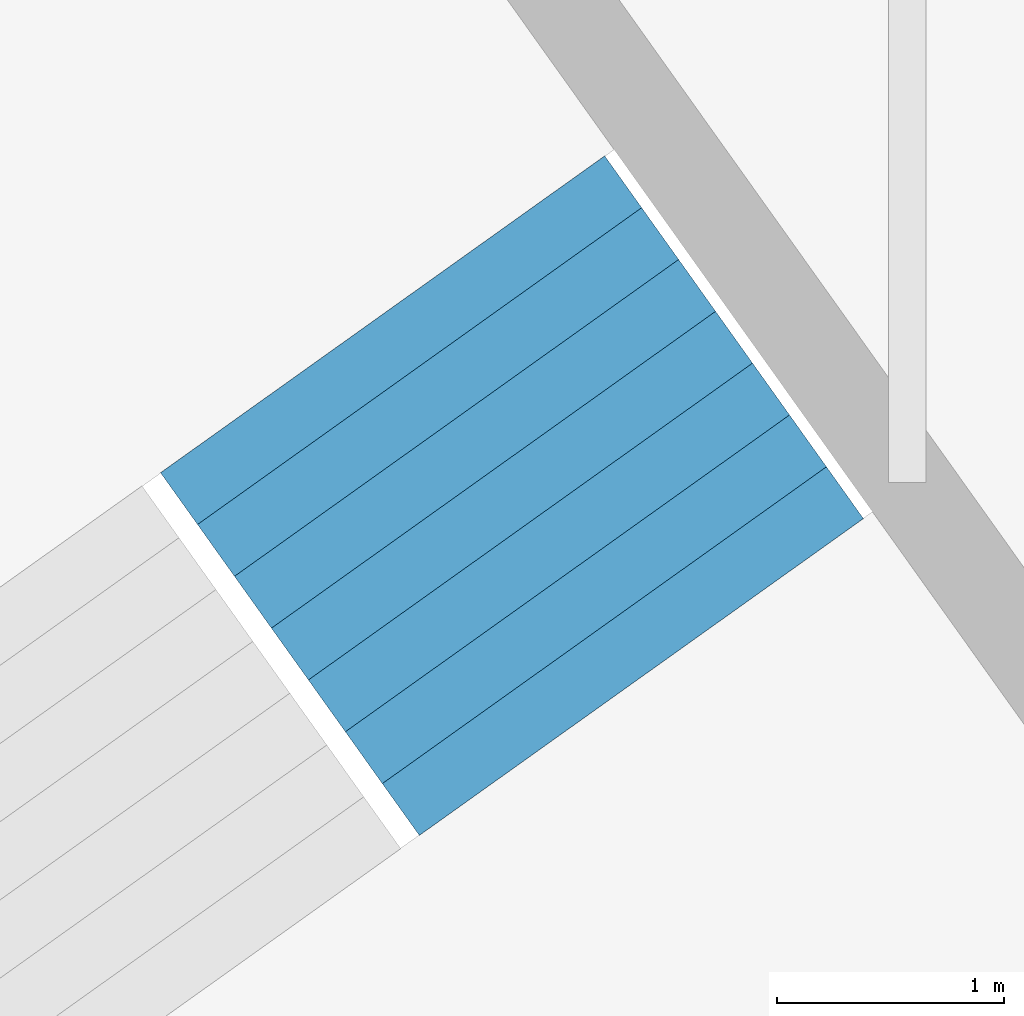
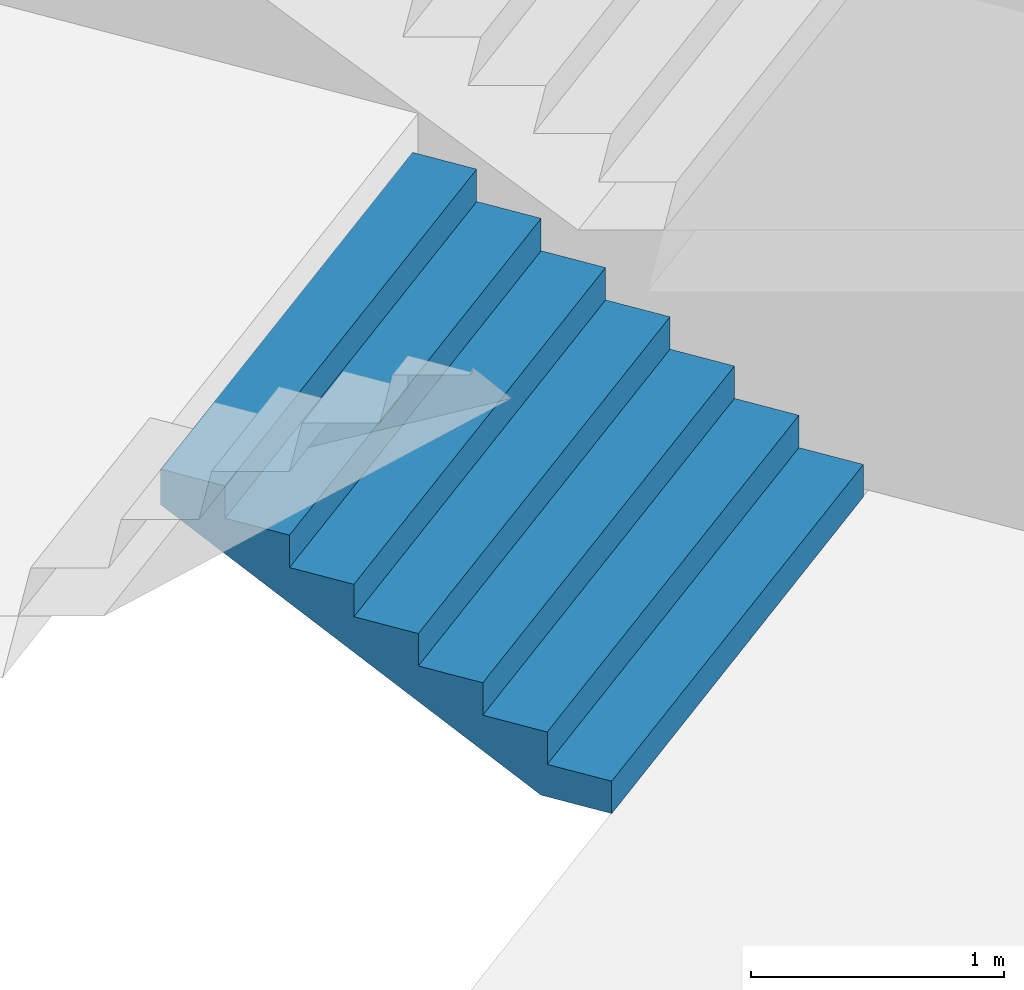
# One storey, part 43 of 73: 1 stair flight, 1 element without a shape of its own.
"""IFC4 building model written with IfcOpenShell, lengths in metres."""

from ifc_helpers import new_model, si_unit, direction, frame, origin, place, context, subcontext, project, spatial, triangles, material, type_object, element, aggregate, save


model = new_model("IFC4")

# Units and contexts
model_context = context("Model", 3, precision=1e-05, world=origin(), true_north=direction((0.0, 1.0)))
body_context = subcontext(model_context, "Body", "Model", "MODEL_VIEW")
ifc_project = project(units=[si_unit("LENGTHUNIT", "METRE"), si_unit("AREAUNIT", "SQUARE_METRE"), si_unit("VOLUMEUNIT", "CUBIC_METRE"), si_unit("PLANEANGLEUNIT", "RADIAN"), si_unit("MASSUNIT", "GRAM", prefix="KILO")], contexts=[model_context])

# Site, building, storey
site_placement = place(None, origin())
site = spatial("IfcSite", under=ifc_project, at=site_placement, CompositionType="ELEMENT")
building_placement = place(site_placement, origin())
building = spatial("IfcBuilding", under=site, at=building_placement, Name="Lantaw Convention Tower", CompositionType="ELEMENT")
storey_placement = place(building_placement, frame((0.0, 0.0, 27.0)))
storey = spatial("IfcBuildingStorey", under=building, at=storey_placement, Name="L04", CompositionType="ELEMENT", Elevation=27.0)

# Stair, stair flight
ifc_material = material(Name="Concrete C35/45", Category="concrete")
stair_type = type_object("IfcStairType", Name="Exit stair 2400 riser 156.25 in 4 flights", PredefinedType="HALF_TURN_STAIR", material=ifc_material)
stair_placement = place(storey_placement, origin())
stair = element("IfcStair", 1, at=stair_placement, inside=storey, type_object=stair_type, Name="Podium exit stair P6 L04", PredefinedType="HALF_TURN_STAIR")
stair_flight_type = type_object("IfcStairFlightType", Name="Stair flight 2400 riser 156.25", PredefinedType="STRAIGHT", material=ifc_material)
stair_flight_placement = place(storey_placement, frame((-16.97021484375, 25.944091796875, 0.0), z_axis=(0.0, 0.0, 1.0), x_axis=(-0.580702955711, 0.814115518356, 0.0)))
stair_flight = element("IfcStairFlight", 2, at=stair_flight_placement, type_object=stair_flight_type, Name="P6 flight 1", NumberOfRisers=8, NumberOfTreads=7, PredefinedType="STRAIGHT", RiserHeight=0.15625, TreadLength=0.28, context=body_context, shape_type="Tessellation", body=[
    triangles([(0.0, 1.199951171875, 0.0), (0.0, 1.199951171875, 0.15625), (0.28, 1.199951171875, 0.0), (0.28, 1.199951171875, 0.15625), (0.28, 1.199951171875, 0.3125), (0.3076200632058044, 1.199951171875, 0.0), (0.3076200632058044, 1.199951171875, 0.3125), (0.56, 1.199951171875, 0.14083701830033238), (0.56, 1.199951171875, 0.3125), (0.56, 1.199951171875, 0.46875), (0.8400000000000001, 1.199951171875, 0.29708701830033235), (0.8400000000000001, 1.199951171875, 0.46875), (0.8400000000000001, 1.199951171875, 0.625), (1.12, 1.199951171875, 0.45333701830033235), (1.12, 1.199951171875, 0.625), (1.12, 1.199951171875, 0.78125), (1.4000000000000001, 1.199951171875, 0.6095870183003324), (1.4000000000000001, 1.199951171875, 0.78125), (1.4000000000000001, 1.199951171875, 0.9375), (1.6800000000000002, 1.199951171875, 0.7658370183003324), (1.6800000000000002, 1.199951171875, 0.9375), (1.6800000000000002, 1.199951171875, 1.09375), (1.9600000000000002, 1.199951171875, 0.9220870183003324), (1.9600000000000002, 1.199951171875, 1.09375), (0.0, -1.199951171875, 0.0), (0.0, -1.199951171875, 0.15625), (0.28, -1.199951171875, 0.0), (0.28, -1.199951171875, 0.15625), (0.28, -1.199951171875, 0.3125), (0.3076200632058044, -1.199951171875, 0.0), (0.3076200632058044, -1.199951171875, 0.3125), (0.56, -1.199951171875, 0.14083701830033238), (0.56, -1.199951171875, 0.3125), (0.56, -1.199951171875, 0.46875), (0.8400000000000001, -1.199951171875, 0.29708701830033235), (0.8400000000000001, -1.199951171875, 0.46875), (0.8400000000000001, -1.199951171875, 0.625), (1.12, -1.199951171875, 0.45333701830033235), (1.12, -1.199951171875, 0.625), (1.12, -1.199951171875, 0.78125), (1.4000000000000001, -1.199951171875, 0.6095870183003324), (1.4000000000000001, -1.199951171875, 0.78125), (1.4000000000000001, -1.199951171875, 0.9375), (1.6800000000000002, -1.199951171875, 0.7658370183003324), (1.6800000000000002, -1.199951171875, 0.9375), (1.6800000000000002, -1.199951171875, 1.09375), (1.9600000000000002, -1.199951171875, 0.9220870183003324), (1.9600000000000002, -1.199951171875, 1.09375), (0.0, 0.239990234375, 0.15625), (0.0, 0.239990234375, 0.0), (0.0, 0.1919921875, 0.15625), (0.0, 0.1919921875, 0.0), (0.0, 0.143994140625, 0.15625), (0.0, 0.143994140625, 0.0), (0.0, 0.09599609375, 0.15625), (0.0, 0.09599609375, 0.0), (0.0, 0.047998046875, 0.15625), (0.0, 0.047998046875, 0.0), (0.0, 0.0, 0.15625), (0.0, 0.0, 0.0), (0.0, -0.047998046875, 0.15625), (0.0, -0.047998046875, 0.0), (0.0, -0.09599609375, 0.15625), (0.0, -0.09599609375, 0.0), (0.0, -0.143994140625, 0.15625), (0.0, -0.143994140625, 0.0), (0.0, -0.1919921875, 0.15625), (0.0, -0.1919921875, 0.0), (0.0, -0.239990234375, 0.15625), (0.0, -0.239990234375, 0.0), (0.28, 0.239990234375, 0.3125), (0.28, 0.239990234375, 0.15625), (0.28, 0.1919921875, 0.3125), (0.28, 0.1919921875, 0.15625), (0.28, 0.143994140625, 0.3125), (0.28, 0.143994140625, 0.15625), (0.28, 0.09599609375, 0.3125), (0.28, 0.09599609375, 0.15625), (0.28, 0.047998046875, 0.3125), (0.28, 0.047998046875, 0.15625), (0.28, 0.0, 0.3125), (0.28, 0.0, 0.15625), (0.28, -0.047998046875, 0.3125), (0.28, -0.047998046875, 0.15625), (0.28, -0.09599609375, 0.3125), (0.28, -0.09599609375, 0.15625), (0.28, -0.143994140625, 0.3125), (0.28, -0.143994140625, 0.15625), (0.28, -0.1919921875, 0.3125), (0.28, -0.1919921875, 0.15625), (0.28, -0.239990234375, 0.3125), (0.28, -0.239990234375, 0.15625), (0.56, 0.239990234375, 0.46875), (0.56, 0.239990234375, 0.3125), (0.56, 0.1919921875, 0.46875), (0.56, 0.1919921875, 0.3125), (0.56, 0.143994140625, 0.46875), (0.56, 0.143994140625, 0.3125), (0.56, 0.09599609375, 0.46875), (0.56, 0.09599609375, 0.3125), (0.56, 0.047998046875, 0.46875), (0.56, 0.047998046875, 0.3125), (0.56, 0.0, 0.46875), (0.56, 0.0, 0.3125), (0.56, -0.047998046875, 0.46875), (0.56, -0.047998046875, 0.3125), (0.56, -0.09599609375, 0.46875), (0.56, -0.09599609375, 0.3125), (0.56, -0.143994140625, 0.46875), (0.56, -0.143994140625, 0.3125), (0.56, -0.1919921875, 0.46875), (0.56, -0.1919921875, 0.3125), (0.56, -0.239990234375, 0.46875), (0.56, -0.239990234375, 0.3125), (0.8400000000000001, 0.239990234375, 0.625), (0.8400000000000001, 0.239990234375, 0.46875), (0.8400000000000001, 0.1919921875, 0.625), (0.8400000000000001, 0.1919921875, 0.46875), (0.8400000000000001, 0.143994140625, 0.625), (0.8400000000000001, 0.143994140625, 0.46875), (0.8400000000000001, 0.09599609375, 0.625), (0.8400000000000001, 0.09599609375, 0.46875), (0.8400000000000001, 0.047998046875, 0.625), (0.8400000000000001, 0.047998046875, 0.46875), (0.8400000000000001, 0.0, 0.625), (0.8400000000000001, 0.0, 0.46875), (0.8400000000000001, -0.047998046875, 0.625), (0.8400000000000001, -0.047998046875, 0.46875), (0.8400000000000001, -0.09599609375, 0.625), (0.8400000000000001, -0.09599609375, 0.46875), (0.8400000000000001, -0.143994140625, 0.625), (0.8400000000000001, -0.143994140625, 0.46875), (0.8400000000000001, -0.1919921875, 0.625), (0.8400000000000001, -0.1919921875, 0.46875), (0.8400000000000001, -0.239990234375, 0.625), (0.8400000000000001, -0.239990234375, 0.46875), (1.12, 0.239990234375, 0.78125), (1.12, 0.239990234375, 0.625), (1.12, 0.1919921875, 0.78125), (1.12, 0.1919921875, 0.625), (1.12, 0.143994140625, 0.78125), (1.12, 0.143994140625, 0.625), (1.12, 0.09599609375, 0.78125), (1.12, 0.09599609375, 0.625), (1.12, 0.047998046875, 0.78125), (1.12, 0.047998046875, 0.625), (1.12, 0.0, 0.78125), (1.12, 0.0, 0.625), (1.12, -0.047998046875, 0.78125), (1.12, -0.047998046875, 0.625), (1.12, -0.09599609375, 0.78125), (1.12, -0.09599609375, 0.625), (1.12, -0.143994140625, 0.78125), (1.12, -0.143994140625, 0.625), (1.12, -0.1919921875, 0.78125), (1.12, -0.1919921875, 0.625), (1.12, -0.239990234375, 0.78125), (1.12, -0.239990234375, 0.625), (1.4000000000000001, 0.239990234375, 0.9375), (1.4000000000000001, 0.239990234375, 0.78125), (1.4000000000000001, 0.1919921875, 0.9375), (1.4000000000000001, 0.1919921875, 0.78125), (1.4000000000000001, 0.143994140625, 0.9375), (1.4000000000000001, 0.143994140625, 0.78125), (1.4000000000000001, 0.09599609375, 0.9375), (1.4000000000000001, 0.09599609375, 0.78125), (1.4000000000000001, 0.047998046875, 0.9375), (1.4000000000000001, 0.047998046875, 0.78125), (1.4000000000000001, 0.0, 0.9375), (1.4000000000000001, 0.0, 0.78125), (1.4000000000000001, -0.047998046875, 0.9375), (1.4000000000000001, -0.047998046875, 0.78125), (1.4000000000000001, -0.09599609375, 0.9375), (1.4000000000000001, -0.09599609375, 0.78125), (1.4000000000000001, -0.143994140625, 0.9375), (1.4000000000000001, -0.143994140625, 0.78125), (1.4000000000000001, -0.1919921875, 0.9375), (1.4000000000000001, -0.1919921875, 0.78125), (1.4000000000000001, -0.239990234375, 0.9375), (1.4000000000000001, -0.239990234375, 0.78125), (1.6800000000000002, 0.239990234375, 1.09375), (1.6800000000000002, 0.239990234375, 0.9375), (1.6800000000000002, 0.1919921875, 1.09375), (1.6800000000000002, 0.1919921875, 0.9375), (1.6800000000000002, 0.143994140625, 1.09375), (1.6800000000000002, 0.143994140625, 0.9375), (1.6800000000000002, 0.09599609375, 1.09375), (1.6800000000000002, 0.09599609375, 0.9375), (1.6800000000000002, 0.047998046875, 1.09375), (1.6800000000000002, 0.047998046875, 0.9375), (1.6800000000000002, 0.0, 1.09375), (1.6800000000000002, 0.0, 0.9375), (1.6800000000000002, -0.047998046875, 1.09375), (1.6800000000000002, -0.047998046875, 0.9375), (1.6800000000000002, -0.09599609375, 1.09375), (1.6800000000000002, -0.09599609375, 0.9375), (1.6800000000000002, -0.143994140625, 1.09375), (1.6800000000000002, -0.143994140625, 0.9375), (1.6800000000000002, -0.1919921875, 1.09375), (1.6800000000000002, -0.1919921875, 0.9375), (1.6800000000000002, -0.239990234375, 1.09375), (1.6800000000000002, -0.239990234375, 0.9375), (0.3076200632058044, 0.239990234375, 0.3125), (0.3076200632058044, 0.1919921875, 0.3125), (0.3076200632058044, 0.143994140625, 0.3125), (0.3076200632058044, 0.09599609375, 0.3125), (0.3076200632058044, 0.047998046875, 0.3125), (0.3076200632058044, 0.0, 0.3125), (0.3076200632058044, -0.047998046875, 0.3125), (0.3076200632058044, -0.09599609375, 0.3125), (0.3076200632058044, -0.143994140625, 0.3125), (0.3076200632058044, -0.1919921875, 0.3125), (0.3076200632058044, -0.239990234375, 0.3125), (1.9600000000000002, 0.239990234375, 1.09375), (1.9600000000000002, 0.1919921875, 1.09375), (1.9600000000000002, 0.143994140625, 1.09375), (1.9600000000000002, 0.09599609375, 1.09375), (1.9600000000000002, 0.047998046875, 1.09375), (1.9600000000000002, 0.0, 1.09375), (1.9600000000000002, -0.047998046875, 1.09375), (1.9600000000000002, -0.09599609375, 1.09375), (1.9600000000000002, -0.143994140625, 1.09375), (1.9600000000000002, -0.1919921875, 1.09375), (1.9600000000000002, -0.239990234375, 1.09375), (1.9600000000000002, 0.239990234375, 0.9220870183003324), (1.9600000000000002, 0.1919921875, 0.9220870183003324), (1.9600000000000002, 0.143994140625, 0.9220870183003324), (1.9600000000000002, 0.09599609375, 0.9220870183003324), (1.9600000000000002, 0.047998046875, 0.9220870183003324), (1.9600000000000002, 0.0, 0.9220870183003324), (1.9600000000000002, -0.047998046875, 0.9220870183003324), (1.9600000000000002, -0.09599609375, 0.9220870183003324), (1.9600000000000002, -0.143994140625, 0.9220870183003324), (1.9600000000000002, -0.1919921875, 0.9220870183003324), (1.9600000000000002, -0.239990234375, 0.9220870183003324), (1.6800000000000002, 0.239990234375, 0.7658370183003324), (1.6800000000000002, 0.1919921875, 0.7658370183003324), (1.6800000000000002, 0.143994140625, 0.7658370183003324), (1.6800000000000002, 0.09599609375, 0.7658370183003324), (1.6800000000000002, 0.047998046875, 0.7658370183003324), (1.6800000000000002, 0.0, 0.7658370183003324), (1.6800000000000002, -0.047998046875, 0.7658370183003324), (1.6800000000000002, -0.09599609375, 0.7658370183003324), (1.6800000000000002, -0.143994140625, 0.7658370183003324), (1.6800000000000002, -0.1919921875, 0.7658370183003324), (1.6800000000000002, -0.239990234375, 0.7658370183003324), (1.4000000000000001, 0.239990234375, 0.6095870183003324), (1.4000000000000001, 0.1919921875, 0.6095870183003324), (1.4000000000000001, 0.143994140625, 0.6095870183003324), (1.4000000000000001, 0.09599609375, 0.6095870183003324), (1.4000000000000001, 0.047998046875, 0.6095870183003324), (1.4000000000000001, 0.0, 0.6095870183003324), (1.4000000000000001, -0.047998046875, 0.6095870183003324), (1.4000000000000001, -0.09599609375, 0.6095870183003324), (1.4000000000000001, -0.143994140625, 0.6095870183003324), (1.4000000000000001, -0.1919921875, 0.6095870183003324), (1.4000000000000001, -0.239990234375, 0.6095870183003324), (1.12, 0.239990234375, 0.45333701830033235), (1.12, 0.1919921875, 0.45333701830033235), (1.12, 0.143994140625, 0.45333701830033235), (1.12, 0.09599609375, 0.45333701830033235), (1.12, 0.047998046875, 0.45333701830033235), (1.12, 0.0, 0.45333701830033235), (1.12, -0.047998046875, 0.45333701830033235), (1.12, -0.09599609375, 0.45333701830033235), (1.12, -0.143994140625, 0.45333701830033235), (1.12, -0.1919921875, 0.45333701830033235), (1.12, -0.239990234375, 0.45333701830033235), (0.8400000000000001, 0.239990234375, 0.29708701830033235), (0.8400000000000001, 0.1919921875, 0.29708701830033235), (0.8400000000000001, 0.143994140625, 0.29708701830033235), (0.8400000000000001, 0.09599609375, 0.29708701830033235), (0.8400000000000001, 0.047998046875, 0.29708701830033235), (0.8400000000000001, 0.0, 0.29708701830033235), (0.8400000000000001, -0.047998046875, 0.29708701830033235), (0.8400000000000001, -0.09599609375, 0.29708701830033235), (0.8400000000000001, -0.143994140625, 0.29708701830033235), (0.8400000000000001, -0.1919921875, 0.29708701830033235), (0.8400000000000001, -0.239990234375, 0.29708701830033235), (0.56, 0.239990234375, 0.14083701830033238), (0.56, 0.1919921875, 0.14083701830033238), (0.56, 0.143994140625, 0.14083701830033238), (0.56, 0.09599609375, 0.14083701830033238), (0.56, 0.047998046875, 0.14083701830033238), (0.56, 0.0, 0.14083701830033238), (0.56, -0.047998046875, 0.14083701830033238), (0.56, -0.09599609375, 0.14083701830033238), (0.56, -0.143994140625, 0.14083701830033238), (0.56, -0.1919921875, 0.14083701830033238), (0.56, -0.239990234375, 0.14083701830033238), (0.3076200632058044, 0.239990234375, 0.0), (0.3076200632058044, 0.1919921875, 0.0), (0.3076200632058044, 0.143994140625, 0.0), (0.3076200632058044, 0.09599609375, 0.0), (0.3076200632058044, 0.047998046875, 0.0), (0.3076200632058044, 0.0, 0.0), (0.3076200632058044, -0.047998046875, 0.0), (0.3076200632058044, -0.09599609375, 0.0), (0.3076200632058044, -0.143994140625, 0.0), (0.3076200632058044, -0.1919921875, 0.0), (0.3076200632058044, -0.239990234375, 0.0), (0.28, 0.239990234375, 0.0), (0.28, 0.1919921875, 0.0), (0.28, 0.143994140625, 0.0), (0.28, 0.09599609375, 0.0), (0.28, 0.047998046875, 0.0), (0.28, 0.0, 0.0), (0.28, -0.047998046875, 0.0), (0.28, -0.09599609375, 0.0), (0.28, -0.143994140625, 0.0), (0.28, -0.1919921875, 0.0), (0.28, -0.239990234375, 0.0)], [[1, 4, 3], [1, 2, 4], [3, 4, 6], [4, 7, 6], [4, 5, 7], [6, 9, 8], [6, 7, 9], [8, 9, 11], [9, 12, 11], [9, 10, 12], [11, 12, 14], [12, 15, 14], [12, 13, 15], [14, 15, 17], [15, 18, 17], [15, 16, 18], [17, 18, 20], [18, 21, 20], [18, 19, 21], [20, 21, 23], [21, 24, 23], [21, 22, 24], [25, 27, 28], [25, 28, 26], [27, 30, 28], [28, 30, 31], [28, 31, 29], [30, 32, 33], [30, 33, 31], [32, 35, 33], [33, 35, 36], [33, 36, 34], [35, 38, 36], [36, 38, 39], [36, 39, 37], [38, 41, 39], [39, 41, 42], [39, 42, 40], [41, 44, 42], [42, 44, 45], [42, 45, 43], [44, 47, 45], [45, 47, 48], [45, 48, 46], [1, 49, 2], [1, 50, 49], [50, 51, 49], [50, 52, 51], [52, 53, 51], [52, 54, 53], [54, 55, 53], [54, 56, 55], [56, 57, 55], [56, 58, 57], [58, 59, 57], [58, 60, 59], [60, 61, 59], [60, 62, 61], [62, 63, 61], [62, 64, 63], [64, 65, 63], [64, 66, 65], [66, 67, 65], [66, 68, 67], [68, 69, 67], [68, 70, 69], [70, 26, 69], [70, 25, 26], [4, 71, 5], [4, 72, 71], [72, 73, 71], [72, 74, 73], [74, 75, 73], [74, 76, 75], [76, 77, 75], [76, 78, 77], [78, 79, 77], [78, 80, 79], [80, 81, 79], [80, 82, 81], [82, 83, 81], [82, 84, 83], [84, 85, 83], [84, 86, 85], [86, 87, 85], [86, 88, 87], [88, 89, 87], [88, 90, 89], [90, 91, 89], [90, 92, 91], [92, 29, 91], [92, 28, 29], [9, 93, 10], [9, 94, 93], [94, 95, 93], [94, 96, 95], [96, 97, 95], [96, 98, 97], [98, 99, 97], [98, 100, 99], [100, 101, 99], [100, 102, 101], [102, 103, 101], [102, 104, 103], [104, 105, 103], [104, 106, 105], [106, 107, 105], [106, 108, 107], [108, 109, 107], [108, 110, 109], [110, 111, 109], [110, 112, 111], [112, 113, 111], [112, 114, 113], [114, 34, 113], [114, 33, 34], [12, 115, 13], [12, 116, 115], [116, 117, 115], [116, 118, 117], [118, 119, 117], [118, 120, 119], [120, 121, 119], [120, 122, 121], [122, 123, 121], [122, 124, 123], [124, 125, 123], [124, 126, 125], [126, 127, 125], [126, 128, 127], [128, 129, 127], [128, 130, 129], [130, 131, 129], [130, 132, 131], [132, 133, 131], [132, 134, 133], [134, 135, 133], [134, 136, 135], [136, 37, 135], [136, 36, 37], [15, 137, 16], [15, 138, 137], [138, 139, 137], [138, 140, 139], [140, 141, 139], [140, 142, 141], [142, 143, 141], [142, 144, 143], [144, 145, 143], [144, 146, 145], [146, 147, 145], [146, 148, 147], [148, 149, 147], [148, 150, 149], [150, 151, 149], [150, 152, 151], [152, 153, 151], [152, 154, 153], [154, 155, 153], [154, 156, 155], [156, 157, 155], [156, 158, 157], [158, 40, 157], [158, 39, 40], [18, 159, 19], [18, 160, 159], [160, 161, 159], [160, 162, 161], [162, 163, 161], [162, 164, 163], [164, 165, 163], [164, 166, 165], [166, 167, 165], [166, 168, 167], [168, 169, 167], [168, 170, 169], [170, 171, 169], [170, 172, 171], [172, 173, 171], [172, 174, 173], [174, 175, 173], [174, 176, 175], [176, 177, 175], [176, 178, 177], [178, 179, 177], [178, 180, 179], [180, 43, 179], [180, 42, 43], [21, 181, 22], [21, 182, 181], [182, 183, 181], [182, 184, 183], [184, 185, 183], [184, 186, 185], [186, 187, 185], [186, 188, 187], [188, 189, 187], [188, 190, 189], [190, 191, 189], [190, 192, 191], [192, 193, 191], [192, 194, 193], [194, 195, 193], [194, 196, 195], [196, 197, 195], [196, 198, 197], [198, 199, 197], [198, 200, 199], [200, 201, 199], [200, 202, 201], [202, 46, 201], [202, 45, 46], [2, 72, 4], [2, 49, 72], [49, 74, 72], [49, 51, 74], [51, 76, 74], [51, 53, 76], [53, 78, 76], [53, 55, 78], [55, 80, 78], [55, 57, 80], [57, 82, 80], [57, 59, 82], [59, 84, 82], [59, 61, 84], [61, 86, 84], [61, 63, 86], [63, 88, 86], [63, 65, 88], [65, 90, 88], [65, 67, 90], [67, 92, 90], [67, 69, 92], [69, 28, 92], [69, 26, 28], [5, 203, 7], [5, 71, 203], [71, 204, 203], [71, 73, 204], [73, 205, 204], [73, 75, 205], [75, 206, 205], [75, 77, 206], [77, 207, 206], [77, 79, 207], [79, 208, 207], [79, 81, 208], [81, 209, 208], [81, 83, 209], [83, 210, 209], [83, 85, 210], [85, 211, 210], [85, 87, 211], [87, 212, 211], [87, 89, 212], [89, 213, 212], [89, 91, 213], [91, 31, 213], [91, 29, 31], [7, 94, 9], [7, 203, 94], [203, 96, 94], [203, 204, 96], [204, 98, 96], [204, 205, 98], [205, 100, 98], [205, 206, 100], [206, 102, 100], [206, 207, 102], [207, 104, 102], [207, 208, 104], [208, 106, 104], [208, 209, 106], [209, 108, 106], [209, 210, 108], [210, 110, 108], [210, 211, 110], [211, 112, 110], [211, 212, 112], [212, 114, 112], [212, 213, 114], [213, 33, 114], [213, 31, 33], [10, 116, 12], [10, 93, 116], [93, 118, 116], [93, 95, 118], [95, 120, 118], [95, 97, 120], [97, 122, 120], [97, 99, 122], [99, 124, 122], [99, 101, 124], [101, 126, 124], [101, 103, 126], [103, 128, 126], [103, 105, 128], [105, 130, 128], [105, 107, 130], [107, 132, 130], [107, 109, 132], [109, 134, 132], [109, 111, 134], [111, 136, 134], [111, 113, 136], [113, 36, 136], [113, 34, 36], [13, 138, 15], [13, 115, 138], [115, 140, 138], [115, 117, 140], [117, 142, 140], [117, 119, 142], [119, 144, 142], [119, 121, 144], [121, 146, 144], [121, 123, 146], [123, 148, 146], [123, 125, 148], [125, 150, 148], [125, 127, 150], [127, 152, 150], [127, 129, 152], [129, 154, 152], [129, 131, 154], [131, 156, 154], [131, 133, 156], [133, 158, 156], [133, 135, 158], [135, 39, 158], [135, 37, 39], [16, 160, 18], [16, 137, 160], [137, 162, 160], [137, 139, 162], [139, 164, 162], [139, 141, 164], [141, 166, 164], [141, 143, 166], [143, 168, 166], [143, 145, 168], [145, 170, 168], [145, 147, 170], [147, 172, 170], [147, 149, 172], [149, 174, 172], [149, 151, 174], [151, 176, 174], [151, 153, 176], [153, 178, 176], [153, 155, 178], [155, 180, 178], [155, 157, 180], [157, 42, 180], [157, 40, 42], [19, 182, 21], [19, 159, 182], [159, 184, 182], [159, 161, 184], [161, 186, 184], [161, 163, 186], [163, 188, 186], [163, 165, 188], [165, 190, 188], [165, 167, 190], [167, 192, 190], [167, 169, 192], [169, 194, 192], [169, 171, 194], [171, 196, 194], [171, 173, 196], [173, 198, 196], [173, 175, 198], [175, 200, 198], [175, 177, 200], [177, 202, 200], [177, 179, 202], [179, 45, 202], [179, 43, 45], [22, 214, 24], [22, 181, 214], [181, 215, 214], [181, 183, 215], [183, 216, 215], [183, 185, 216], [185, 217, 216], [185, 187, 217], [187, 218, 217], [187, 189, 218], [189, 219, 218], [189, 191, 219], [191, 220, 219], [191, 193, 220], [193, 221, 220], [193, 195, 221], [195, 222, 221], [195, 197, 222], [197, 223, 222], [197, 199, 223], [199, 224, 223], [199, 201, 224], [201, 48, 224], [201, 46, 48], [24, 225, 23], [24, 214, 225], [214, 226, 225], [214, 215, 226], [215, 227, 226], [215, 216, 227], [216, 228, 227], [216, 217, 228], [217, 229, 228], [217, 218, 229], [218, 230, 229], [218, 219, 230], [219, 231, 230], [219, 220, 231], [220, 232, 231], [220, 221, 232], [221, 233, 232], [221, 222, 233], [222, 234, 233], [222, 223, 234], [223, 235, 234], [223, 224, 235], [224, 47, 235], [224, 48, 47], [23, 236, 20], [23, 225, 236], [225, 237, 236], [225, 226, 237], [226, 238, 237], [226, 227, 238], [227, 239, 238], [227, 228, 239], [228, 240, 239], [228, 229, 240], [229, 241, 240], [229, 230, 241], [230, 242, 241], [230, 231, 242], [231, 243, 242], [231, 232, 243], [232, 244, 243], [232, 233, 244], [233, 245, 244], [233, 234, 245], [234, 246, 245], [234, 235, 246], [235, 44, 246], [235, 47, 44], [20, 247, 17], [20, 236, 247], [236, 248, 247], [236, 237, 248], [237, 249, 248], [237, 238, 249], [238, 250, 249], [238, 239, 250], [239, 251, 250], [239, 240, 251], [240, 252, 251], [240, 241, 252], [241, 253, 252], [241, 242, 253], [242, 254, 253], [242, 243, 254], [243, 255, 254], [243, 244, 255], [244, 256, 255], [244, 245, 256], [245, 257, 256], [245, 246, 257], [246, 41, 257], [246, 44, 41], [17, 258, 14], [17, 247, 258], [247, 259, 258], [247, 248, 259], [248, 260, 259], [248, 249, 260], [249, 261, 260], [249, 250, 261], [250, 262, 261], [250, 251, 262], [251, 263, 262], [251, 252, 263], [252, 264, 263], [252, 253, 264], [253, 265, 264], [253, 254, 265], [254, 266, 265], [254, 255, 266], [255, 267, 266], [255, 256, 267], [256, 268, 267], [256, 257, 268], [257, 38, 268], [257, 41, 38], [14, 269, 11], [14, 258, 269], [258, 270, 269], [258, 259, 270], [259, 271, 270], [259, 260, 271], [260, 272, 271], [260, 261, 272], [261, 273, 272], [261, 262, 273], [262, 274, 273], [262, 263, 274], [263, 275, 274], [263, 264, 275], [264, 276, 275], [264, 265, 276], [265, 277, 276], [265, 266, 277], [266, 278, 277], [266, 267, 278], [267, 279, 278], [267, 268, 279], [268, 35, 279], [268, 38, 35], [11, 280, 8], [11, 269, 280], [269, 281, 280], [269, 270, 281], [270, 282, 281], [270, 271, 282], [271, 283, 282], [271, 272, 283], [272, 284, 283], [272, 273, 284], [273, 285, 284], [273, 274, 285], [274, 286, 285], [274, 275, 286], [275, 287, 286], [275, 276, 287], [276, 288, 287], [276, 277, 288], [277, 289, 288], [277, 278, 289], [278, 290, 289], [278, 279, 290], [279, 32, 290], [279, 35, 32], [8, 291, 6], [8, 280, 291], [280, 292, 291], [280, 281, 292], [281, 293, 292], [281, 282, 293], [282, 294, 293], [282, 283, 294], [283, 295, 294], [283, 284, 295], [284, 296, 295], [284, 285, 296], [285, 297, 296], [285, 286, 297], [286, 298, 297], [286, 287, 298], [287, 299, 298], [287, 288, 299], [288, 300, 299], [288, 289, 300], [289, 301, 300], [289, 290, 301], [290, 30, 301], [290, 32, 30], [6, 302, 3], [6, 291, 302], [291, 303, 302], [291, 292, 303], [292, 304, 303], [292, 293, 304], [293, 305, 304], [293, 294, 305], [294, 306, 305], [294, 295, 306], [295, 307, 306], [295, 296, 307], [296, 308, 307], [296, 297, 308], [297, 309, 308], [297, 298, 309], [298, 310, 309], [298, 299, 310], [299, 311, 310], [299, 300, 311], [300, 312, 311], [300, 301, 312], [301, 27, 312], [301, 30, 27], [3, 50, 1], [3, 302, 50], [302, 52, 50], [302, 303, 52], [303, 54, 52], [303, 304, 54], [304, 56, 54], [304, 305, 56], [305, 58, 56], [305, 306, 58], [306, 60, 58], [306, 307, 60], [307, 62, 60], [307, 308, 62], [308, 64, 62], [308, 309, 64], [309, 66, 64], [309, 310, 66], [310, 68, 66], [310, 311, 68], [311, 70, 68], [311, 312, 70], [312, 25, 70], [312, 27, 25]], closed=True),
])
aggregate(stair, [stair_flight])

save(model, "model.ifc")
